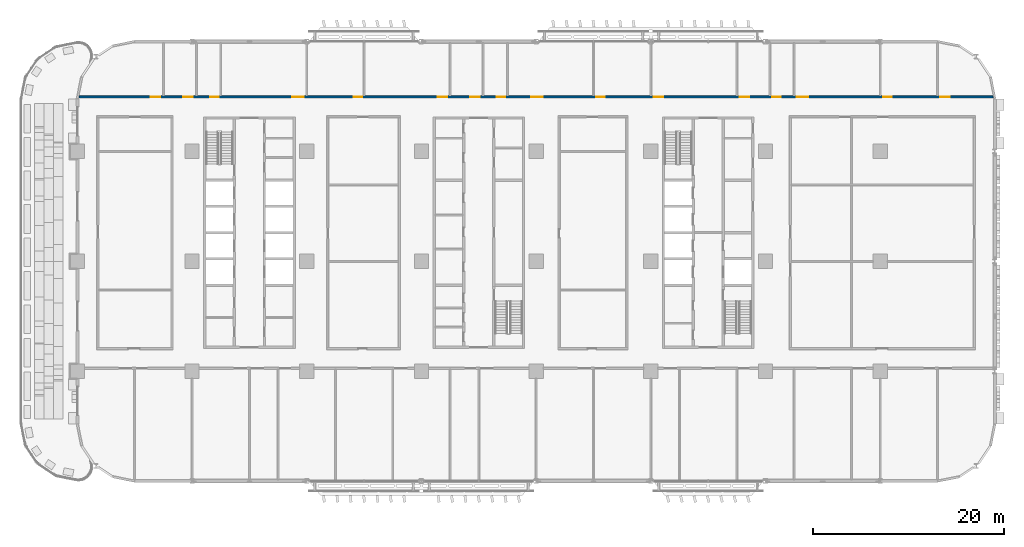
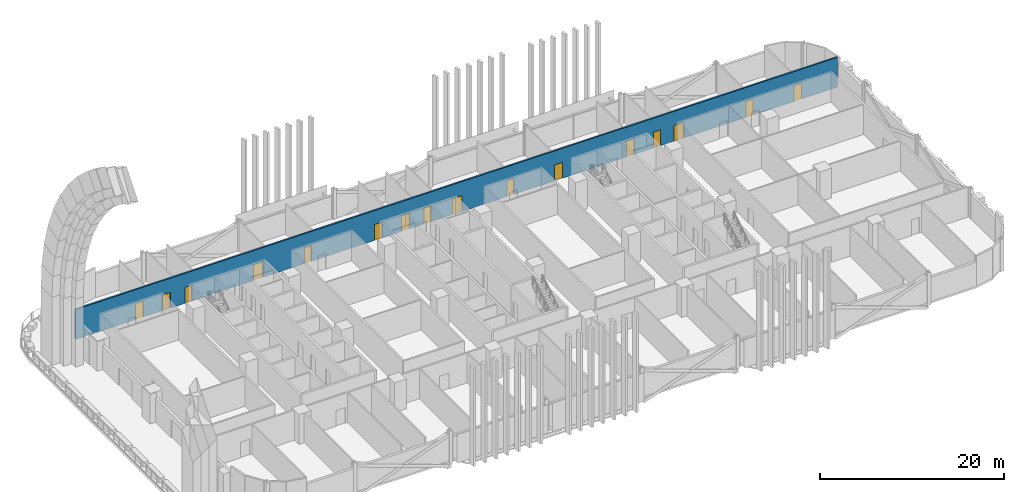
# One storey, part 13 of 29: 16 doors, 1 wall, 16 openings.
"""IFC4 building model written with IfcOpenShell, lengths in metres."""

from ifc_helpers import new_model, si_unit, direction, frame, frame_2d, origin, place, context, subcontext, project, spatial, rectangle, extrude, material, layer, layer_set, type_object, element, fill, save


model = new_model("IFC4")

# Units and contexts
model_context = context("Model", 3, precision=1e-05, world=origin(), true_north=direction((0.0, 1.0)))
body_context = subcontext(model_context, "Body", "Model", "MODEL_VIEW")
ifc_project = project(units=[si_unit("LENGTHUNIT", "METRE"), si_unit("AREAUNIT", "SQUARE_METRE"), si_unit("VOLUMEUNIT", "CUBIC_METRE"), si_unit("PLANEANGLEUNIT", "RADIAN"), si_unit("MASSUNIT", "GRAM", prefix="KILO")], contexts=[model_context])

# Site, building, storey
site_placement = place(None, origin())
site = spatial("IfcSite", under=ifc_project, at=site_placement, CompositionType="ELEMENT")
building_placement = place(site_placement, origin())
building = spatial("IfcBuilding", under=site, at=building_placement, Name="Mahtab Terrace Research Tower", CompositionType="ELEMENT")
storey_placement = place(building_placement, frame((0.0, 0.0, 46.0)))
storey = spatial("IfcBuildingStorey", under=building, at=storey_placement, Name="L10", CompositionType="ELEMENT", Elevation=46.0)

# Wall, openings, doors
ifc_material_1 = material(Name="Gypsum board corridor wall on steel studs", Category="steel")
ifc_layer = layer(ifc_material_1, 0.199951171875)
ifc_layer_set = layer_set([ifc_layer], Name="WALL CORRIDOR 200")
wall_type = type_object("IfcWallType", Name="WALL CORRIDOR 200", PredefinedType="PARTITIONING", material=ifc_layer_set)
wall_placement = place(storey_placement, frame((-41.807373046875, 17.199951171875, 0.0), z_axis=(0.0, 0.0, 1.0), x_axis=(1.0, 0.0, 0.0)))
wall = element("IfcWall", 1, at=wall_placement, inside=storey, type_object=wall_type, Name="L10-W026", PredefinedType="PARTITIONING", context=body_context, shape_type="SweptSolid", body=[
    extrude(rectangle(XDim=95.61474609375, YDim=0.199951171875, at=frame_2d((47.807373046875, 0.0))), origin(), (0.0, 0.0, 1.0), 3.9599609375),
])
opening_1_placement = place(wall_placement, frame((7.5, 0.0, 0.0)))
opening_1 = element("IfcOpeningElement", 2, at=opening_1_placement, cuts=wall, Name="Opening L10-134", PredefinedType="OPENING", context=body_context, shape_type="SweptSolid", body=[
    extrude(rectangle(XDim=1.0, YDim=2.10009765625, at=frame_2d((0.5, 1.050048828125))), frame((0.0, 0.10986328125, 0.0), z_axis=(0.0, -1.0, 0.0), x_axis=(1.0, 0.0, 0.0)), (0.0, 0.0, 1.0), 0.219970703125),
])
opening_2_placement = place(wall_placement, frame((10.89990234375, 0.0, 0.0)))
opening_2 = element("IfcOpeningElement", 3, at=opening_2_placement, cuts=wall, Name="Opening L10-135", PredefinedType="OPENING", context=body_context, shape_type="SweptSolid", body=[
    extrude(rectangle(XDim=1.0, YDim=2.10009765625, at=frame_2d((0.5, 1.050048828125))), frame((0.0, 0.10986328125, 0.0), z_axis=(0.0, -1.0, 0.0), x_axis=(1.0, 0.0, 0.0)), (0.0, 0.0, 1.0), 0.219970703125),
])
opening_3_placement = place(wall_placement, frame((13.699951171875, 0.0, 0.0)))
opening_3 = element("IfcOpeningElement", 4, at=opening_3_placement, cuts=wall, Name="Opening L10-136", PredefinedType="OPENING", context=body_context, shape_type="SweptSolid", body=[
    extrude(rectangle(XDim=0.89990234375, YDim=2.10009765625, at=frame_2d((0.449951171875, 1.050048828125))), frame((0.0, 0.10986328125, 0.0), z_axis=(0.0, -1.0, 0.0), x_axis=(1.0, 0.0, 0.0)), (0.0, 0.0, 1.0), 0.219970703125),
])
opening_4_placement = place(wall_placement, frame((22.300048828125, 0.0, 0.0)))
opening_4 = element("IfcOpeningElement", 5, at=opening_4_placement, cuts=wall, Name="Opening L10-137", PredefinedType="OPENING", context=body_context, shape_type="SweptSolid", body=[
    extrude(rectangle(XDim=1.199951171875, YDim=2.10009765625, at=frame_2d((0.60009765625, 1.050048828125))), frame((0.0, 0.10986328125, 0.0), z_axis=(0.0, -1.0, 0.0), x_axis=(1.0, 0.0, 0.0)), (0.0, 0.0, 1.0), 0.219970703125),
])
opening_5_placement = place(wall_placement, frame((28.699951171875, 0.0, 0.0)))
opening_5 = element("IfcOpeningElement", 6, at=opening_5_placement, cuts=wall, Name="Opening L10-138", PredefinedType="OPENING", context=body_context, shape_type="SweptSolid", body=[
    extrude(rectangle(XDim=0.89990234375, YDim=2.10009765625, at=frame_2d((0.449951171875, 1.050048828125))), frame((0.0, 0.10986328125, 0.0), z_axis=(0.0, -1.0, 0.0), x_axis=(1.0, 0.0, 0.0)), (0.0, 0.0, 1.0), 0.219970703125),
])
opening_6_placement = place(wall_placement, frame((37.5, 0.0, 0.0)))
opening_6 = element("IfcOpeningElement", 7, at=opening_6_placement, cuts=wall, Name="Opening L10-139", PredefinedType="OPENING", context=body_context, shape_type="SweptSolid", body=[
    extrude(rectangle(XDim=1.0, YDim=2.10009765625, at=frame_2d((0.5, 1.050048828125))), frame((0.0, 0.10986328125, 0.0), z_axis=(0.0, -1.0, 0.0), x_axis=(1.0, 0.0, 0.0)), (0.0, 0.0, 1.0), 0.219970703125),
])
opening_7_placement = place(wall_placement, frame((40.89990234375, 0.0, 0.0)))
opening_7 = element("IfcOpeningElement", 8, at=opening_7_placement, cuts=wall, Name="Opening L10-140", PredefinedType="OPENING", context=body_context, shape_type="SweptSolid", body=[
    extrude(rectangle(XDim=1.0, YDim=2.10009765625, at=frame_2d((0.5, 1.050048828125))), frame((0.0, 0.10986328125, 0.0), z_axis=(0.0, -1.0, 0.0), x_axis=(1.0, 0.0, 0.0)), (0.0, 0.0, 1.0), 0.219970703125),
])
opening_8_placement = place(wall_placement, frame((43.699951171875, 0.0, 0.0)))
opening_8 = element("IfcOpeningElement", 9, at=opening_8_placement, cuts=wall, Name="Opening L10-141", PredefinedType="OPENING", context=body_context, shape_type="SweptSolid", body=[
    extrude(rectangle(XDim=0.89990234375, YDim=2.10009765625, at=frame_2d((0.449951171875, 1.050048828125))), frame((0.0, 0.10986328125, 0.0), z_axis=(0.0, -1.0, 0.0), x_axis=(1.0, 0.0, 0.0)), (0.0, 0.0, 1.0), 0.219970703125),
])
opening_9_placement = place(wall_placement, frame((47.300048828125, 0.0, 0.0)))
opening_9 = element("IfcOpeningElement", 10, at=opening_9_placement, cuts=wall, Name="Opening L10-142", PredefinedType="OPENING", context=body_context, shape_type="SweptSolid", body=[
    extrude(rectangle(XDim=1.199951171875, YDim=2.10009765625, at=frame_2d((0.60009765625, 1.050048828125))), frame((0.0, 0.10986328125, 0.0), z_axis=(0.0, -1.0, 0.0), x_axis=(1.0, 0.0, 0.0)), (0.0, 0.0, 1.0), 0.219970703125),
])
opening_10_placement = place(wall_placement, frame((54.10009765625, 0.0, 0.0)))
opening_10 = element("IfcOpeningElement", 11, at=opening_10_placement, cuts=wall, Name="Opening L10-143", PredefinedType="OPENING", context=body_context, shape_type="SweptSolid", body=[
    extrude(rectangle(XDim=0.89990234375, YDim=2.10009765625, at=frame_2d((0.449951171875, 1.050048828125))), frame((0.0, 0.10986328125, 0.0), z_axis=(0.0, -1.0, 0.0), x_axis=(1.0, 0.0, 0.0)), (0.0, 0.0, 1.0), 0.219970703125),
])
opening_11_placement = place(wall_placement, frame((60.10009765625, 0.0, 0.0)))
opening_11 = element("IfcOpeningElement", 12, at=opening_11_placement, cuts=wall, Name="Opening L10-144", PredefinedType="OPENING", context=body_context, shape_type="SweptSolid", body=[
    extrude(rectangle(XDim=1.0, YDim=2.10009765625, at=frame_2d((0.5, 1.050048828125))), frame((0.0, 0.10986328125, 0.0), z_axis=(0.0, -1.0, 0.0), x_axis=(1.0, 0.0, 0.0)), (0.0, 0.0, 1.0), 0.219970703125),
])
opening_12_placement = place(wall_placement, frame((69.10009765625, 0.0, 0.0)))
opening_12 = element("IfcOpeningElement", 13, at=opening_12_placement, cuts=wall, Name="Opening L10-145", PredefinedType="OPENING", context=body_context, shape_type="SweptSolid", body=[
    extrude(rectangle(XDim=1.0, YDim=2.10009765625, at=frame_2d((0.5, 1.050048828125))), frame((0.0, 0.10986328125, 0.0), z_axis=(0.0, -1.0, 0.0), x_axis=(1.0, 0.0, 0.0)), (0.0, 0.0, 1.0), 0.219970703125),
])
opening_13_placement = place(wall_placement, frame((72.5, 0.0, 0.0)))
opening_13 = element("IfcOpeningElement", 14, at=opening_13_placement, cuts=wall, Name="Opening L10-146", PredefinedType="OPENING", context=body_context, shape_type="SweptSolid", body=[
    extrude(rectangle(XDim=0.89990234375, YDim=2.10009765625, at=frame_2d((0.449951171875, 1.050048828125))), frame((0.0, 0.10986328125, 0.0), z_axis=(0.0, -1.0, 0.0), x_axis=(1.0, 0.0, 0.0)), (0.0, 0.0, 1.0), 0.219970703125),
])
opening_14_placement = place(wall_placement, frame((75.10009765625, 0.0, 0.0)))
opening_14 = element("IfcOpeningElement", 15, at=opening_14_placement, cuts=wall, Name="Opening L10-147", PredefinedType="OPENING", context=body_context, shape_type="SweptSolid", body=[
    extrude(rectangle(XDim=1.199951171875, YDim=2.10009765625, at=frame_2d((0.60009765625, 1.050048828125))), frame((0.0, 0.10986328125, 0.0), z_axis=(0.0, -1.0, 0.0), x_axis=(1.0, 0.0, 0.0)), (0.0, 0.0, 1.0), 0.219970703125),
])
opening_15_placement = place(wall_placement, frame((84.10009765625, 0.0, 0.0)))
opening_15 = element("IfcOpeningElement", 16, at=opening_15_placement, cuts=wall, Name="Opening L10-148", PredefinedType="OPENING", context=body_context, shape_type="SweptSolid", body=[
    extrude(rectangle(XDim=0.89990234375, YDim=2.10009765625, at=frame_2d((0.449951171875, 1.050048828125))), frame((0.0, 0.10986328125, 0.0), z_axis=(0.0, -1.0, 0.0), x_axis=(1.0, 0.0, 0.0)), (0.0, 0.0, 1.0), 0.219970703125),
])
opening_16_placement = place(wall_placement, frame((90.10009765625, 0.0, 0.0)))
opening_16 = element("IfcOpeningElement", 17, at=opening_16_placement, cuts=wall, Name="Opening L10-149", PredefinedType="OPENING", context=body_context, shape_type="SweptSolid", body=[
    extrude(rectangle(XDim=1.0, YDim=2.10009765625, at=frame_2d((0.5, 1.050048828125))), frame((0.0, 0.10986328125, 0.0), z_axis=(0.0, -1.0, 0.0), x_axis=(1.0, 0.0, 0.0)), (0.0, 0.0, 1.0), 0.219970703125),
])
ifc_material_2 = material(Name="Timber door leaf in steel frame", Category="steel")
door_type_1 = type_object("IfcDoorType", Name="DOOR 0900X2100 FD30S", OperationType="SINGLE_SWING_LEFT", PredefinedType="DOOR", material=ifc_material_2)
door_1_placement = place(opening_3_placement, origin())
door_1 = element("IfcDoor", 18, at=door_1_placement, inside=storey, type_object=door_type_1, Name="Door L10-136", OperationType="SINGLE_SWING_LEFT", OverallHeight=2.10009765625, OverallWidth=0.89990234375, PredefinedType="DOOR", context=body_context, shape_type="SweptSolid", body=[
    extrude(rectangle(XDim=0.89990234375, YDim=2.10009765625, at=frame_2d((0.449951171875, 1.050048828125))), frame((0.0, 0.02490234375, 0.0), z_axis=(0.0, -1.0, 0.0), x_axis=(1.0, 0.0, 0.0)), (0.0, 0.0, 1.0), 0.050048828125),
])
fill(opening_3, door_1)
door_2_placement = place(opening_5_placement, origin())
door_2 = element("IfcDoor", 19, at=door_2_placement, inside=storey, type_object=door_type_1, Name="Door L10-138", OperationType="SINGLE_SWING_LEFT", OverallHeight=2.10009765625, OverallWidth=0.89990234375, PredefinedType="DOOR", context=body_context, shape_type="SweptSolid", body=[
    extrude(rectangle(XDim=0.89990234375, YDim=2.10009765625, at=frame_2d((0.449951171875, 1.050048828125))), frame((0.0, 0.02490234375, 0.0), z_axis=(0.0, -1.0, 0.0), x_axis=(1.0, 0.0, 0.0)), (0.0, 0.0, 1.0), 0.050048828125),
])
fill(opening_5, door_2)
door_3_placement = place(opening_8_placement, origin())
door_3 = element("IfcDoor", 20, at=door_3_placement, inside=storey, type_object=door_type_1, Name="Door L10-141", OperationType="SINGLE_SWING_LEFT", OverallHeight=2.10009765625, OverallWidth=0.89990234375, PredefinedType="DOOR", context=body_context, shape_type="SweptSolid", body=[
    extrude(rectangle(XDim=0.89990234375, YDim=2.10009765625, at=frame_2d((0.449951171875, 1.050048828125))), frame((0.0, 0.02490234375, 0.0), z_axis=(0.0, -1.0, 0.0), x_axis=(1.0, 0.0, 0.0)), (0.0, 0.0, 1.0), 0.050048828125),
])
fill(opening_8, door_3)
door_4_placement = place(opening_10_placement, origin())
door_4 = element("IfcDoor", 21, at=door_4_placement, inside=storey, type_object=door_type_1, Name="Door L10-143", OperationType="SINGLE_SWING_RIGHT", OverallHeight=2.10009765625, OverallWidth=0.89990234375, PredefinedType="DOOR", context=body_context, shape_type="SweptSolid", body=[
    extrude(rectangle(XDim=0.89990234375, YDim=2.10009765625, at=frame_2d((0.449951171875, 1.050048828125))), frame((0.0, 0.02490234375, 0.0), z_axis=(0.0, -1.0, 0.0), x_axis=(1.0, 0.0, 0.0)), (0.0, 0.0, 1.0), 0.050048828125),
])
fill(opening_10, door_4)
door_5_placement = place(opening_13_placement, origin())
door_5 = element("IfcDoor", 22, at=door_5_placement, inside=storey, type_object=door_type_1, Name="Door L10-146", OperationType="SINGLE_SWING_RIGHT", OverallHeight=2.10009765625, OverallWidth=0.89990234375, PredefinedType="DOOR", context=body_context, shape_type="SweptSolid", body=[
    extrude(rectangle(XDim=0.89990234375, YDim=2.10009765625, at=frame_2d((0.449951171875, 1.050048828125))), frame((0.0, 0.02490234375, 0.0), z_axis=(0.0, -1.0, 0.0), x_axis=(1.0, 0.0, 0.0)), (0.0, 0.0, 1.0), 0.050048828125),
])
fill(opening_13, door_5)
door_6_placement = place(opening_15_placement, origin())
door_6 = element("IfcDoor", 23, at=door_6_placement, inside=storey, type_object=door_type_1, Name="Door L10-148", OperationType="SINGLE_SWING_RIGHT", OverallHeight=2.10009765625, OverallWidth=0.89990234375, PredefinedType="DOOR", context=body_context, shape_type="SweptSolid", body=[
    extrude(rectangle(XDim=0.89990234375, YDim=2.10009765625, at=frame_2d((0.449951171875, 1.050048828125))), frame((0.0, 0.02490234375, 0.0), z_axis=(0.0, -1.0, 0.0), x_axis=(1.0, 0.0, 0.0)), (0.0, 0.0, 1.0), 0.050048828125),
])
fill(opening_15, door_6)
door_type_2 = type_object("IfcDoorType", Name="DOOR 1000X2100 FD30S", OperationType="SINGLE_SWING_LEFT", PredefinedType="DOOR", material=ifc_material_2)
door_7_placement = place(opening_1_placement, origin())
door_7 = element("IfcDoor", 24, at=door_7_placement, inside=storey, type_object=door_type_2, Name="Door L10-134", OperationType="SINGLE_SWING_LEFT", OverallHeight=2.10009765625, OverallWidth=1.0, PredefinedType="DOOR", context=body_context, shape_type="SweptSolid", body=[
    extrude(rectangle(XDim=1.0, YDim=2.10009765625, at=frame_2d((0.5, 1.050048828125))), frame((0.0, 0.02490234375, 0.0), z_axis=(0.0, -1.0, 0.0), x_axis=(1.0, 0.0, 0.0)), (0.0, 0.0, 1.0), 0.050048828125),
])
fill(opening_1, door_7)
door_8_placement = place(opening_2_placement, origin())
door_8 = element("IfcDoor", 25, at=door_8_placement, inside=storey, type_object=door_type_2, Name="Door L10-135", OperationType="SINGLE_SWING_LEFT", OverallHeight=2.10009765625, OverallWidth=1.0, PredefinedType="DOOR", context=body_context, shape_type="SweptSolid", body=[
    extrude(rectangle(XDim=1.0, YDim=2.10009765625, at=frame_2d((0.5, 1.050048828125))), frame((0.0, 0.02490234375, 0.0), z_axis=(0.0, -1.0, 0.0), x_axis=(1.0, 0.0, 0.0)), (0.0, 0.0, 1.0), 0.050048828125),
])
fill(opening_2, door_8)
door_9_placement = place(opening_6_placement, origin())
door_9 = element("IfcDoor", 26, at=door_9_placement, inside=storey, type_object=door_type_2, Name="Door L10-139", OperationType="SINGLE_SWING_LEFT", OverallHeight=2.10009765625, OverallWidth=1.0, PredefinedType="DOOR", context=body_context, shape_type="SweptSolid", body=[
    extrude(rectangle(XDim=1.0, YDim=2.10009765625, at=frame_2d((0.5, 1.050048828125))), frame((0.0, 0.02490234375, 0.0), z_axis=(0.0, -1.0, 0.0), x_axis=(1.0, 0.0, 0.0)), (0.0, 0.0, 1.0), 0.050048828125),
])
fill(opening_6, door_9)
door_10_placement = place(opening_7_placement, origin())
door_10 = element("IfcDoor", 27, at=door_10_placement, inside=storey, type_object=door_type_2, Name="Door L10-140", OperationType="SINGLE_SWING_LEFT", OverallHeight=2.10009765625, OverallWidth=1.0, PredefinedType="DOOR", context=body_context, shape_type="SweptSolid", body=[
    extrude(rectangle(XDim=1.0, YDim=2.10009765625, at=frame_2d((0.5, 1.050048828125))), frame((0.0, 0.02490234375, 0.0), z_axis=(0.0, -1.0, 0.0), x_axis=(1.0, 0.0, 0.0)), (0.0, 0.0, 1.0), 0.050048828125),
])
fill(opening_7, door_10)
door_11_placement = place(opening_11_placement, origin())
door_11 = element("IfcDoor", 28, at=door_11_placement, inside=storey, type_object=door_type_2, Name="Door L10-144", OperationType="SINGLE_SWING_RIGHT", OverallHeight=2.10009765625, OverallWidth=1.0, PredefinedType="DOOR", context=body_context, shape_type="SweptSolid", body=[
    extrude(rectangle(XDim=1.0, YDim=2.10009765625, at=frame_2d((0.5, 1.050048828125))), frame((0.0, 0.02490234375, 0.0), z_axis=(0.0, -1.0, 0.0), x_axis=(1.0, 0.0, 0.0)), (0.0, 0.0, 1.0), 0.050048828125),
])
fill(opening_11, door_11)
door_12_placement = place(opening_12_placement, origin())
door_12 = element("IfcDoor", 29, at=door_12_placement, inside=storey, type_object=door_type_2, Name="Door L10-145", OperationType="SINGLE_SWING_RIGHT", OverallHeight=2.10009765625, OverallWidth=1.0, PredefinedType="DOOR", context=body_context, shape_type="SweptSolid", body=[
    extrude(rectangle(XDim=1.0, YDim=2.10009765625, at=frame_2d((0.5, 1.050048828125))), frame((0.0, 0.02490234375, 0.0), z_axis=(0.0, -1.0, 0.0), x_axis=(1.0, 0.0, 0.0)), (0.0, 0.0, 1.0), 0.050048828125),
])
fill(opening_12, door_12)
door_13_placement = place(opening_16_placement, origin())
door_13 = element("IfcDoor", 30, at=door_13_placement, inside=storey, type_object=door_type_2, Name="Door L10-149", OperationType="SINGLE_SWING_RIGHT", OverallHeight=2.10009765625, OverallWidth=1.0, PredefinedType="DOOR", context=body_context, shape_type="SweptSolid", body=[
    extrude(rectangle(XDim=1.0, YDim=2.10009765625, at=frame_2d((0.5, 1.050048828125))), frame((0.0, 0.02490234375, 0.0), z_axis=(0.0, -1.0, 0.0), x_axis=(1.0, 0.0, 0.0)), (0.0, 0.0, 1.0), 0.050048828125),
])
fill(opening_16, door_13)
door_type_3 = type_object("IfcDoorType", Name="DOOR 1200X2100 FD30S", OperationType="SINGLE_SWING_LEFT", PredefinedType="DOOR", material=ifc_material_2)
door_14_placement = place(opening_4_placement, origin())
door_14 = element("IfcDoor", 31, at=door_14_placement, inside=storey, type_object=door_type_3, Name="Door L10-137", OperationType="SINGLE_SWING_LEFT", OverallHeight=2.10009765625, OverallWidth=1.199951171875, PredefinedType="DOOR", context=body_context, shape_type="SweptSolid", body=[
    extrude(rectangle(XDim=1.199951171875, YDim=2.10009765625, at=frame_2d((0.60009765625, 1.050048828125))), frame((0.0, 0.02490234375, 0.0), z_axis=(0.0, -1.0, 0.0), x_axis=(1.0, 0.0, 0.0)), (0.0, 0.0, 1.0), 0.050048828125),
])
fill(opening_4, door_14)
door_15_placement = place(opening_9_placement, origin())
door_15 = element("IfcDoor", 32, at=door_15_placement, inside=storey, type_object=door_type_3, Name="Door L10-142", OperationType="SINGLE_SWING_RIGHT", OverallHeight=2.10009765625, OverallWidth=1.199951171875, PredefinedType="DOOR", context=body_context, shape_type="SweptSolid", body=[
    extrude(rectangle(XDim=1.199951171875, YDim=2.10009765625, at=frame_2d((0.60009765625, 1.050048828125))), frame((0.0, 0.02490234375, 0.0), z_axis=(0.0, -1.0, 0.0), x_axis=(1.0, 0.0, 0.0)), (0.0, 0.0, 1.0), 0.050048828125),
])
fill(opening_9, door_15)
door_16_placement = place(opening_14_placement, origin())
door_16 = element("IfcDoor", 33, at=door_16_placement, inside=storey, type_object=door_type_3, Name="Door L10-147", OperationType="SINGLE_SWING_RIGHT", OverallHeight=2.10009765625, OverallWidth=1.199951171875, PredefinedType="DOOR", context=body_context, shape_type="SweptSolid", body=[
    extrude(rectangle(XDim=1.199951171875, YDim=2.10009765625, at=frame_2d((0.60009765625, 1.050048828125))), frame((0.0, 0.02490234375, 0.0), z_axis=(0.0, -1.0, 0.0), x_axis=(1.0, 0.0, 0.0)), (0.0, 0.0, 1.0), 0.050048828125),
])
fill(opening_14, door_16)

save(model, "model.ifc")
